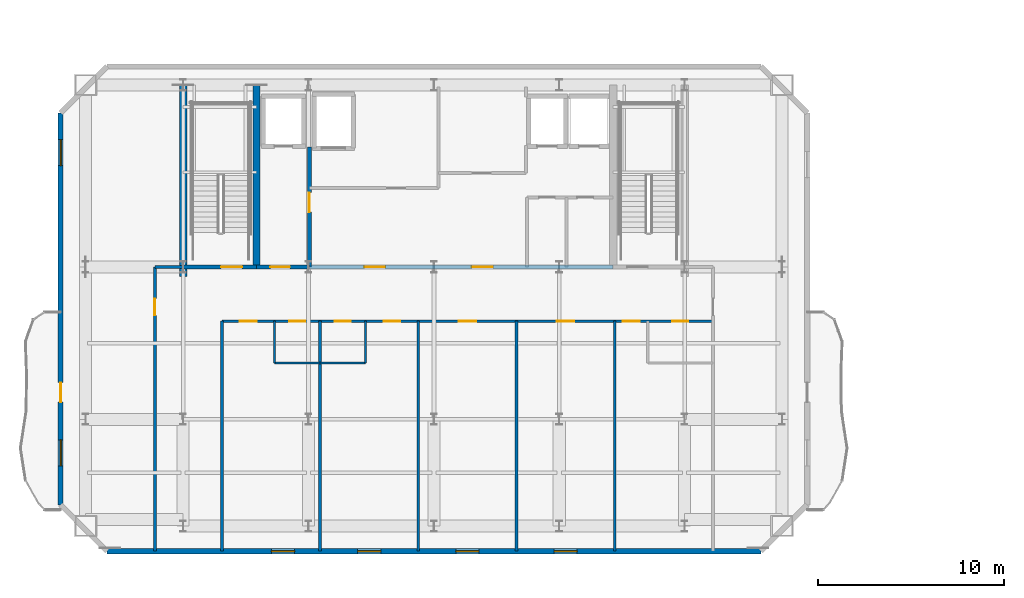
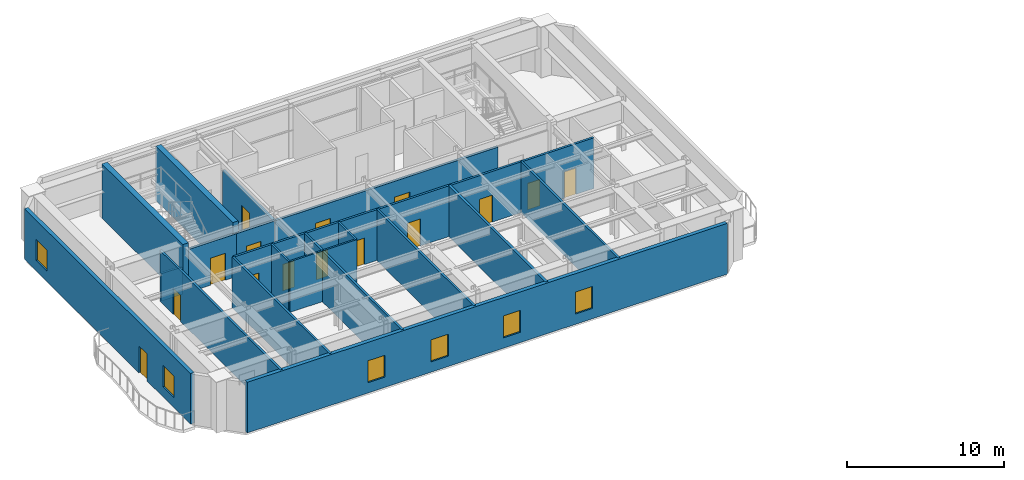
# One storey, part 10 of 16: 20 walls, 15 doors, 6 windows, 21 openings.
"""IFC4 building model written with IfcOpenShell, lengths in metres."""

import ifcopenshell
import ifcopenshell.guid

model = None  # the IFC model being written
_history = None  # IfcOwnerHistory: only IFC2X3 demands one
_inside = {}  # id of a spatial element -> (the spatial element, [elements in it])
_under = {}  # id of a project, library or spatial element -> (it, [spatial elements below it])
_declared = {}  # id of a project -> (the project, [libraries it declares])
_typed = {}  # id of a type object -> (the type object, [elements of that type])
_made_of = {}  # id of a material, layer set ... -> (it, [elements and type objects made of it])


def new_model(schema):
    """Start an empty IFC model of exactly this schema.

    Asked for "IFC4X3", IfcOpenShell would pick the latest addendum, in which some entities
    have other attributes; the version numbers below select the first issue.
    IFC2X3 requires an IfcOwnerHistory on every rooted entity: one is made here for all.
    """
    global model, _history
    if schema == "IFC4X3":
        model = ifcopenshell.file(schema_version=(4, 3, 0, 0))
    else:
        model = ifcopenshell.file(schema=schema)
    _inside.clear()
    _under.clear()
    _declared.clear()
    _typed.clear()
    _made_of.clear()
    _history = None
    if model.schema == "IFC2X3":
        org = make("IfcOrganization", Name="unknown")
        user = make(
            "IfcPersonAndOrganization",
            ThePerson=make("IfcPerson", FamilyName="unknown"),
            TheOrganization=org,
        )
        app = make(
            "IfcApplication",
            ApplicationDeveloper=org,
            Version="unknown",
            ApplicationFullName="unknown",
            ApplicationIdentifier="unknown",
        )
        _history = make(
            "IfcOwnerHistory",
            OwningUser=user,
            OwningApplication=app,
            ChangeAction="ADDED",
            CreationDate=0,
        )
    return model


def make(cls, **values):
    """One entity of the class cls with the attributes given. An attribute that is None is left unset."""
    return model.create_entity(
        cls, **{name: value for name, value in values.items() if value is not None}
    )


def rooted(cls, **values):
    """An entity with a GlobalId (a new one), such as an element, a storey or a relation."""
    return make(cls, GlobalId=ifcopenshell.guid.new(), OwnerHistory=_history, **values)


def si_unit(unit_type, name, prefix=None):
    """IfcSIUnit, for example si_unit("LENGTHUNIT", "METRE", prefix="MILLI")."""
    return make("IfcSIUnit", UnitType=unit_type, Prefix=prefix, Name=name)


def assignment(units):
    """IfcUnitAssignment: the units of a project."""
    return None if units is None else make("IfcUnitAssignment", Units=units)


def point(xyz):
    """IfcCartesianPoint."""
    return None if xyz is None else make("IfcCartesianPoint", Coordinates=xyz)


def direction(xyz):
    """IfcDirection."""
    return None if xyz is None else make("IfcDirection", DirectionRatios=xyz)


def frame(location, z_axis=None, x_axis=None):
    """IfcAxis2Placement3D, a coordinate frame: its origin and axes. An axis left out is left unset."""
    return make(
        "IfcAxis2Placement3D",
        Location=point(location),
        Axis=direction(z_axis),
        RefDirection=direction(x_axis),
    )


def frame_2d(location, x_axis=None):
    """IfcAxis2Placement2D, a coordinate frame in the plane: its origin and x axis."""
    return make(
        "IfcAxis2Placement2D", Location=point(location), RefDirection=direction(x_axis)
    )


def origin():
    """The frame at (0, 0, 0) with its axes left unset."""
    return frame((0.0, 0.0, 0.0))


def place(relative_to, where):
    """IfcLocalPlacement: puts the frame where relative to a parent placement (None: the world)."""
    return make(
        "IfcLocalPlacement", PlacementRelTo=relative_to, RelativePlacement=where
    )


def context(
    kind, dimensions, precision=None, world=None, true_north=None, identifier=None
):
    """IfcGeometricRepresentationContext, for example the 3D "Model" context."""
    return make(
        "IfcGeometricRepresentationContext",
        ContextIdentifier=identifier,
        ContextType=kind,
        CoordinateSpaceDimension=dimensions,
        Precision=precision,
        WorldCoordinateSystem=world,
        TrueNorth=true_north,
    )


def subcontext(parent, identifier, kind, view, scale=None):
    """IfcGeometricRepresentationSubContext, for example "Body" below "Model"."""
    return make(
        "IfcGeometricRepresentationSubContext",
        ContextIdentifier=identifier,
        ContextType=kind,
        ParentContext=parent,
        TargetScale=scale,
        TargetView=view,
    )


def project(units=None, contexts=None):
    """IfcProject with its units and contexts."""
    return rooted(
        "IfcProject",
        Name="project",
        RepresentationContexts=contexts,
        UnitsInContext=assignment(units),
    )


def spatial(cls, under=None, at=None, **own):
    """A site, building, storey or space (cls), placed at a placement, below another one or the project."""
    s = rooted(cls, ObjectPlacement=at, **own)
    if under is not None:
        _under.setdefault(under.id(), (under, []))[1].append(s)
    return s


def profile(cls, at=None, kind="AREA", **sizes):
    """A parametric profile (cls). Its sizes go by their IFC names, for example OverallWidth=200.0."""
    return make(cls, ProfileType=kind, Position=at, **sizes)


def rectangle(**sizes):
    """IfcRectangleProfileDef."""
    return profile("IfcRectangleProfileDef", **sizes)


def extrude(swept, where, along, depth):
    """IfcExtrudedAreaSolid: the profile swept, set in the frame where, extruded along a direction by depth."""
    return make(
        "IfcExtrudedAreaSolid",
        SweptArea=swept,
        Position=where,
        ExtrudedDirection=direction(along),
        Depth=depth,
    )


def shape(context_of_items, identifier, shape_type, items):
    """IfcShapeRepresentation: the items that make up one representation, for example the "Body"."""
    return make(
        "IfcShapeRepresentation",
        ContextOfItems=context_of_items,
        RepresentationIdentifier=identifier,
        RepresentationType=shape_type,
        Items=items,
    )


def material(Name=None, Category=None):
    """IfcMaterial."""
    return make("IfcMaterial", Name=Name, Category=Category)


def layer(
    of_material, thickness, ventilated=None, Name=None, Category=None, Priority=None
):
    """IfcMaterialLayer: one layer of a wall or slab, of a material (None: an air gap)."""
    return make(
        "IfcMaterialLayer",
        Material=of_material,
        LayerThickness=thickness,
        IsVentilated=ventilated,
        Name=Name,
        Category=Category,
        Priority=Priority,
    )


def layer_set(layers, Name=None):
    """IfcMaterialLayerSet."""
    return make("IfcMaterialLayerSet", MaterialLayers=layers, LayerSetName=Name)


def made_of(thing, what):
    """Note that an element or type object is made of a material, layer set ...; save() writes the relation."""
    if what is not None:
        _made_of.setdefault(what.id(), (what, []))[1].append(thing)
    return thing


def type_object(cls, material=None, **own):
    """A type object (cls), such as IfcWallType, which elements share."""
    return made_of(rooted(cls, **own), material)


def element(
    cls,
    number,
    at=None,
    inside=None,
    cuts=None,
    type_object=None,
    material=None,
    context=None,
    identifier="Body",
    shape_type=None,
    held_by="IfcProductDefinitionShape",
    body=None,
    shapes=None,
    **own,
):
    """One element of the class cls, such as IfcWall. Its Tag is "e" and its number.

    at: its placement. inside: the storey or other place that contains it. cuts: it is an
    opening in that element (IfcRelVoidsElement). A single representation is given by context,
    identifier, shape_type and body (its items); several are given by shapes. held_by: the class
    of the entity that holds the representations. save() writes the other relations.
    """
    e = rooted(cls, Tag="e%d" % number, ObjectPlacement=at, **own)
    if body is not None:
        shapes = [shape(context, identifier, shape_type, body)]
    if shapes is not None:
        e.Representation = make(held_by, Representations=shapes)
    if inside is not None:
        _inside.setdefault(inside.id(), (inside, []))[1].append(e)
    if cuts is not None:
        rooted(
            "IfcRelVoidsElement", RelatingBuildingElement=cuts, RelatedOpeningElement=e
        )
    if type_object is not None:
        _typed.setdefault(type_object.id(), (type_object, []))[1].append(e)
    return made_of(e, material)


def fill(opening, filler):
    """IfcRelFillsElement: the door or window that sits in an opening."""
    return rooted(
        "IfcRelFillsElement",
        RelatingOpeningElement=opening,
        RelatedBuildingElement=filler,
    )


def aggregate(whole, parts):
    """IfcRelAggregates: a whole, such as a stair, and the parts it consists of."""
    return rooted("IfcRelAggregates", RelatingObject=whole, RelatedObjects=parts)


def save(model, path):
    """Write the relations noted so far, then the file.

    IfcRelAggregates (storeys below a building ...), IfcRelContainedInSpatialStructure (elements
    in a storey), IfcRelDefinesByType, IfcRelAssociatesMaterial and IfcRelDeclares: one each for
    every whole, place, type object, material and project.
    """
    for whole, parts in _under.values():
        aggregate(whole, parts)
    for where, things in _inside.values():
        rooted(
            "IfcRelContainedInSpatialStructure",
            RelatedElements=things,
            RelatingStructure=where,
        )
    for kind, things in _typed.values():
        rooted("IfcRelDefinesByType", RelatedObjects=things, RelatingType=kind)
    for what, things in _made_of.values():
        rooted("IfcRelAssociatesMaterial", RelatedObjects=things, RelatingMaterial=what)
    for by, libraries in _declared.values():
        rooted("IfcRelDeclares", RelatingContext=by, RelatedDefinitions=libraries)
    model.write(path)


model = new_model("IFC4")

# Units and contexts
model_context = context("Model", 3, precision=1e-05, world=origin(), true_north=direction((0.0, 1.0)))
body_context = subcontext(model_context, "Body", "Model", "MODEL_VIEW")
ifc_project = project(units=[si_unit("LENGTHUNIT", "METRE"), si_unit("AREAUNIT", "SQUARE_METRE"), si_unit("VOLUMEUNIT", "CUBIC_METRE"), si_unit("PLANEANGLEUNIT", "RADIAN"), si_unit("MASSUNIT", "GRAM", prefix="KILO")], contexts=[model_context])

# Site, building, storey
site_placement = place(None, origin())
site = spatial("IfcSite", under=ifc_project, at=site_placement, CompositionType="ELEMENT")
building_placement = place(site_placement, origin())
building = spatial("IfcBuilding", under=site, at=building_placement, Name="Haevon Station Towers", CompositionType="ELEMENT")
storey_placement = place(building_placement, frame((0.0, 0.0, 235.199951171875)))
storey = spatial("IfcBuildingStorey", under=building, at=storey_placement, Name="L65", CompositionType="ELEMENT", Elevation=235.199951171875)

# Wall
ifc_material_1 = material(Name="Gypsum board on steel stud", Category="steel")
ifc_layer_1 = layer(ifc_material_1, 0.179931640625)
ifc_layer_set_1 = layer_set([ifc_layer_1], Name="Gypsum board on steel stud")
wall_type_1 = type_object("IfcWallType", Name="WL-ACU180", PredefinedType="PARTITIONING", material=ifc_layer_set_1)
wall_1_placement = place(storey_placement, frame((41.947021484375, 22.89990234375, 0.0), z_axis=(0.0, 0.0, 1.0), x_axis=(0.0, 1.0, 0.0)))
element("IfcWall", 1, at=wall_1_placement, inside=storey, type_object=wall_type_1, Name="WL-T1PT-L65-12", PredefinedType="PARTITIONING", context=body_context, shape_type="SweptSolid", body=[
    extrude(rectangle(XDim=12.380126953125, YDim=0.179931640625, at=frame_2d((6.18994140625, 0.0))), origin(), (0.0, 0.0, 1.0), 3.929931640625),
])

# Wall, opening, door
ifc_layer_2 = layer(ifc_material_1, 0.199951171875)
ifc_layer_set_2 = layer_set([ifc_layer_2], Name="Gypsum board on steel stud")
wall_type_2 = type_object("IfcWallType", Name="WL-COR200", PredefinedType="PARTITIONING", material=ifc_layer_set_2)
wall_2_placement = place(storey_placement, frame((24.0, 38.199951171875, 0.0), z_axis=(0.0, 0.0, 1.0), x_axis=(1.0, 0.0, 0.0)))
wall_2 = element("IfcWall", 2, at=wall_2_placement, inside=storey, type_object=wall_type_2, Name="WL-ST-ST1-L65", PredefinedType="PARTITIONING", context=body_context, shape_type="SweptSolid", body=[
    extrude(rectangle(XDim=3.949951171875, YDim=0.199951171875, at=frame_2d((1.97509765625, 0.0))), origin(), (0.0, 0.0, 1.0), 3.330078125),
])
opening_1_placement = place(wall_2_placement, frame((2.050048828125, 0.0, 0.0)))
opening_1 = element("IfcOpeningElement", 3, at=opening_1_placement, cuts=wall_2, Name="Opening DR-ST-ST1-L65", PredefinedType="OPENING", context=body_context, shape_type="SweptSolid", body=[
    extrude(rectangle(XDim=1.1201171875, YDim=2.10009765625, at=frame_2d((0.56005859375, 1.050048828125))), frame((0.0, 0.10986328125, 0.0), z_axis=(0.0, -1.0, 0.0), x_axis=(1.0, 0.0, 0.0)), (0.0, 0.0, 1.0), 0.219970703125),
])
ifc_material_2 = material(Name="Engineered oak timber", Category="wood")
door_type_1 = type_object("IfcDoorType", Name="DR-ST-1120", OperationType="NOTDEFINED", PredefinedType="DOOR", material=ifc_material_2)
door_1_placement = place(opening_1_placement, origin())
door_1 = element("IfcDoor", 4, at=door_1_placement, inside=storey, type_object=door_type_1, Name="L65 Escape Stair ST1 Fire Door", OperationType="SINGLE_SWING_LEFT", OverallHeight=2.10009765625, OverallWidth=1.1201171875, PredefinedType="DOOR", context=body_context, shape_type="SweptSolid", body=[
    extrude(rectangle(XDim=1.1201171875, YDim=2.10009765625, at=frame_2d((0.56005859375, 1.050048828125))), frame((0.0, 0.02490234375, 0.0), z_axis=(0.0, -1.0, 0.0), x_axis=(1.0, 0.0, 0.0)), (0.0, 0.0, 1.0), 0.050048828125),
])
fill(opening_1, door_1)

wall_3_placement = place(storey_placement, frame((30.800048828125, 38.199951171875, 0.0), z_axis=(0.0, 0.0, 1.0), x_axis=(0.0, 1.0, 0.0)))
wall_3 = element("IfcWall", 5, at=wall_3_placement, inside=storey, type_object=wall_type_2, Name="WL-T1FFL-L65-E", PredefinedType="PARTITIONING", context=body_context, shape_type="SweptSolid", body=[
    extrude(rectangle(XDim=6.449951171875, YDim=0.199951171875, at=frame_2d((3.22509765625, 0.0))), origin(), (0.0, 0.0, 1.0), 3.330078125),
])
opening_2_placement = place(wall_3_placement, frame((2.9599609375, 0.0, 0.0)))
opening_2 = element("IfcOpeningElement", 6, at=opening_2_placement, cuts=wall_3, Name="Opening DR-T1FFL-L65-E", PredefinedType="OPENING", context=body_context, shape_type="SweptSolid", body=[
    extrude(rectangle(XDim=1.050048828125, YDim=2.10009765625, at=frame_2d((0.52490234375, 1.050048828125))), frame((0.0, 0.10986328125, 0.0), z_axis=(0.0, -1.0, 0.0), x_axis=(1.0, 0.0, 0.0)), (0.0, 0.0, 1.0), 0.219970703125),
])
door_type_2 = type_object("IfcDoorType", Name="DR-FD60-1050", OperationType="NOTDEFINED", PredefinedType="DOOR", material=ifc_material_2)
door_2_placement = place(opening_2_placement, origin())
door_2 = element("IfcDoor", 7, at=door_2_placement, inside=storey, type_object=door_type_2, Name="L65 Tower 1 Firefighting Lift Lobby Door E", OperationType="SINGLE_SWING_LEFT", OverallHeight=2.10009765625, OverallWidth=1.050048828125, PredefinedType="DOOR", context=body_context, shape_type="SweptSolid", body=[
    extrude(rectangle(XDim=1.050048828125, YDim=2.10009765625, at=frame_2d((0.52490234375, 1.050048828125))), frame((0.0, 0.02490234375, 0.0), z_axis=(0.0, -1.0, 0.0), x_axis=(1.0, 0.0, 0.0)), (0.0, 0.0, 1.0), 0.050048828125),
])
fill(opening_2, door_2)

wall_4_placement = place(storey_placement, frame((27.949951171875, 38.199951171875, 0.0), z_axis=(0.0, 0.0, 1.0), x_axis=(1.0, 0.0, 0.0)))
wall_4 = element("IfcWall", 8, at=wall_4_placement, inside=storey, type_object=wall_type_2, Name="WL-T1FFL-L65-S", PredefinedType="PARTITIONING", context=body_context, shape_type="SweptSolid", body=[
    extrude(rectangle(XDim=2.85009765625, YDim=0.199951171875, at=frame_2d((1.425048828125, 0.0))), origin(), (0.0, 0.0, 1.0), 3.330078125),
])
opening_3_placement = place(wall_4_placement, frame((0.75, 0.0, 0.0)))
opening_3 = element("IfcOpeningElement", 9, at=opening_3_placement, cuts=wall_4, Name="Opening DR-T1FFL-L65-S", PredefinedType="OPENING", context=body_context, shape_type="SweptSolid", body=[
    extrude(rectangle(XDim=1.050048828125, YDim=2.10009765625, at=frame_2d((0.52490234375, 1.050048828125))), frame((0.0, 0.10986328125, 0.0), z_axis=(0.0, -1.0, 0.0), x_axis=(1.0, 0.0, 0.0)), (0.0, 0.0, 1.0), 0.219970703125),
])
door_3_placement = place(opening_3_placement, origin())
door_3 = element("IfcDoor", 10, at=door_3_placement, inside=storey, type_object=door_type_2, Name="L65 Tower 1 Firefighting Lift Lobby Door S", OperationType="SINGLE_SWING_RIGHT", OverallHeight=2.10009765625, OverallWidth=1.050048828125, PredefinedType="DOOR", context=body_context, shape_type="SweptSolid", body=[
    extrude(rectangle(XDim=1.050048828125, YDim=2.10009765625, at=frame_2d((0.52490234375, 1.050048828125))), frame((0.0, 0.02490234375, 0.0), z_axis=(0.0, -1.0, 0.0), x_axis=(1.0, 0.0, 0.0)), (0.0, 0.0, 1.0), 0.050048828125),
])
fill(opening_3, door_3)

# Wall, openings, doors
wall_5_placement = place(storey_placement, frame((30.800048828125, 38.199951171875, 0.0), z_axis=(0.0, 0.0, 1.0), x_axis=(1.0, 0.0, 0.0)))
wall_5 = element("IfcWall", 11, at=wall_5_placement, inside=storey, type_object=wall_type_2, Name="WL-T1CLB-L65", PredefinedType="PARTITIONING", context=body_context, shape_type="SweptSolid", body=[
    extrude(rectangle(XDim=16.349853515625, YDim=0.199951171875, at=frame_2d((8.1748046875, 0.0))), origin(), (0.0, 0.0, 1.0), 3.330078125),
])
opening_4_placement = place(wall_5_placement, frame((2.949951171875, 0.0, 0.0)))
opening_4 = element("IfcOpeningElement", 12, at=opening_4_placement, cuts=wall_5, Name="Opening DR-T1CLB-L65-1", PredefinedType="OPENING", context=body_context, shape_type="SweptSolid", body=[
    extrude(rectangle(XDim=1.1201171875, YDim=2.10009765625, at=frame_2d((0.56005859375, 1.050048828125))), frame((0.0, 0.10986328125, 0.0), z_axis=(0.0, -1.0, 0.0), x_axis=(1.0, 0.0, 0.0)), (0.0, 0.0, 1.0), 0.219970703125),
])
opening_5_placement = place(wall_5_placement, frame((8.75, 0.0, 0.0)))
opening_5 = element("IfcOpeningElement", 13, at=opening_5_placement, cuts=wall_5, Name="Opening DR-T1CLB-L65-2", PredefinedType="OPENING", context=body_context, shape_type="SweptSolid", body=[
    extrude(rectangle(XDim=1.1201171875, YDim=2.10009765625, at=frame_2d((0.56005859375, 1.050048828125))), frame((0.0, 0.10986328125, 0.0), z_axis=(0.0, -1.0, 0.0), x_axis=(1.0, 0.0, 0.0)), (0.0, 0.0, 1.0), 0.219970703125),
])
door_4_placement = place(opening_4_placement, origin())
door_4 = element("IfcDoor", 14, at=door_4_placement, inside=storey, type_object=door_type_1, Name="L65 Tower 1 Core Lift Lobby Door 1", OperationType="SINGLE_SWING_LEFT", OverallHeight=2.10009765625, OverallWidth=1.1201171875, PredefinedType="DOOR", context=body_context, shape_type="SweptSolid", body=[
    extrude(rectangle(XDim=1.1201171875, YDim=2.10009765625, at=frame_2d((0.56005859375, 1.050048828125))), frame((0.0, 0.02490234375, 0.0), z_axis=(0.0, -1.0, 0.0), x_axis=(1.0, 0.0, 0.0)), (0.0, 0.0, 1.0), 0.050048828125),
])
fill(opening_4, door_4)
door_5_placement = place(opening_5_placement, origin())
door_5 = element("IfcDoor", 15, at=door_5_placement, inside=storey, type_object=door_type_1, Name="L65 Tower 1 Core Lift Lobby Door 2", OperationType="SINGLE_SWING_RIGHT", OverallHeight=2.10009765625, OverallWidth=1.1201171875, PredefinedType="DOOR", context=body_context, shape_type="SweptSolid", body=[
    extrude(rectangle(XDim=1.1201171875, YDim=2.10009765625, at=frame_2d((0.56005859375, 1.050048828125))), frame((0.0, 0.02490234375, 0.0), z_axis=(0.0, -1.0, 0.0), x_axis=(1.0, 0.0, 0.0)), (0.0, 0.0, 1.0), 0.050048828125),
])
fill(opening_5, door_5)

# Walls
ifc_material_3 = material(Name="Concrete C60/75", Category="concrete")
ifc_layer_3 = layer(ifc_material_3, 0.39990234375)
ifc_layer_set_3 = layer_set([ifc_layer_3], Name="Concrete C60/75")
wall_type_3 = type_object("IfcWallType", Name="WL-CR400", PredefinedType="SHEAR", material=ifc_layer_set_3)
wall_6_placement = place(storey_placement, frame((24.0, 37.679931640625, 0.0), z_axis=(0.0, 0.0, 1.0), x_axis=(0.0, 1.0, 0.0)))
element("IfcWall", 16, at=wall_6_placement, inside=storey, type_object=wall_type_3, Name="WL-T1CR-L65-W", PredefinedType="SHEAR", context=body_context, shape_type="SweptSolid", body=[
    extrude(rectangle(XDim=10.320068359375, YDim=0.39990234375, at=frame_2d((5.16015625, 0.0))), origin(), (0.0, 0.0, 1.0), 4.199951171875),
])
wall_7_placement = place(storey_placement, frame((27.949951171875, 38.199951171875, 0.0), z_axis=(0.0, 0.0, 1.0), x_axis=(0.0, 1.0, 0.0)))
element("IfcWall", 17, at=wall_7_placement, inside=storey, type_object=wall_type_3, Name="WL-T1CR-L65-M1", PredefinedType="SHEAR", context=body_context, shape_type="SweptSolid", body=[
    extrude(rectangle(XDim=9.800048828125, YDim=0.39990234375, at=frame_2d((4.89990234375, 0.0))), origin(), (0.0, 0.0, 1.0), 4.199951171875),
])

# Wall, openings, windows
ifc_material_4 = material(Name="Precast concrete C45/55", Category="concrete")
ifc_layer_4 = layer(ifc_material_4, 0.280029296875)
ifc_layer_set_4 = layer_set([ifc_layer_4], Name="Precast concrete C45/55")
wall_type_4 = type_object("IfcWallType", Name="WL-EXT-PIER280", PredefinedType="SOLIDWALL", material=ifc_layer_set_4)
wall_8_placement = place(storey_placement, frame((55.10009765625, 22.89990234375, 0.0), z_axis=(0.0, 0.0, 1.0), x_axis=(-1.0, 0.0, 0.0)))
wall_8 = element("IfcWall", 18, at=wall_8_placement, inside=storey, type_object=wall_type_4, Name="WL-T1-L65-S", PredefinedType="SOLIDWALL", context=body_context, shape_type="SweptSolid", body=[
    extrude(rectangle(XDim=35.2001953125, YDim=0.280029296875, at=frame_2d((17.60009765625, 0.0))), origin(), (0.0, 0.0, 1.0), 3.929931640625),
])
opening_6_placement = place(wall_8_placement, frame((25.0947265625, 0.0, 0.800048828125)))
opening_6 = element("IfcOpeningElement", 19, at=opening_6_placement, cuts=wall_8, Name="Opening WN-P125", PredefinedType="OPENING", context=body_context, shape_type="SweptSolid", body=[
    extrude(rectangle(XDim=1.25, YDim=1.699951171875, at=frame_2d((0.625, 0.85009765625))), frame((0.0, 0.14990234375, 0.0), z_axis=(0.0, -1.0, 0.0), x_axis=(1.0, 0.0, 0.0)), (0.0, 0.0, 1.0), 0.300048828125),
])
opening_7_placement = place(wall_8_placement, frame((20.46142578125, 0.0, 0.800048828125)))
opening_7 = element("IfcOpeningElement", 20, at=opening_7_placement, cuts=wall_8, Name="Opening WN-P125", PredefinedType="OPENING", context=body_context, shape_type="SweptSolid", body=[
    extrude(rectangle(XDim=1.25, YDim=1.699951171875, at=frame_2d((0.625, 0.85009765625))), frame((0.0, 0.14990234375, 0.0), z_axis=(0.0, -1.0, 0.0), x_axis=(1.0, 0.0, 0.0)), (0.0, 0.0, 1.0), 0.300048828125),
])
opening_8_placement = place(wall_8_placement, frame((15.172607421875, 0.0, 0.800048828125)))
opening_8 = element("IfcOpeningElement", 21, at=opening_8_placement, cuts=wall_8, Name="Opening WN-P125", PredefinedType="OPENING", context=body_context, shape_type="SweptSolid", body=[
    extrude(rectangle(XDim=1.25, YDim=1.699951171875, at=frame_2d((0.625, 0.85009765625))), frame((0.0, 0.14990234375, 0.0), z_axis=(0.0, -1.0, 0.0), x_axis=(1.0, 0.0, 0.0)), (0.0, 0.0, 1.0), 0.300048828125),
])
opening_9_placement = place(wall_8_placement, frame((9.883544921875, 0.0, 0.800048828125)))
opening_9 = element("IfcOpeningElement", 22, at=opening_9_placement, cuts=wall_8, Name="Opening WN-P125", PredefinedType="OPENING", context=body_context, shape_type="SweptSolid", body=[
    extrude(rectangle(XDim=1.25, YDim=1.699951171875, at=frame_2d((0.625, 0.85009765625))), frame((0.0, 0.14990234375, 0.0), z_axis=(0.0, -1.0, 0.0), x_axis=(1.0, 0.0, 0.0)), (0.0, 0.0, 1.0), 0.300048828125),
])
ifc_material_5 = material(Name="Low-E triple glazing in thermally broken aluminium", Category="aluminium")
window_type_1 = type_object("IfcWindowType", Name="WN-P125", PartitioningType="SINGLE_PANEL", PredefinedType="WINDOW", material=ifc_material_5)
window_1_placement = place(opening_6_placement, origin())
window_1 = element("IfcWindow", 23, at=window_1_placement, inside=storey, type_object=window_type_1, Name="WN-T1-L65-S01", OverallHeight=1.699951171875, OverallWidth=1.25, PartitioningType="SINGLE_PANEL", PredefinedType="WINDOW", context=body_context, shape_type="SweptSolid", body=[
    extrude(rectangle(XDim=1.25, YDim=1.699951171875, at=frame_2d((0.625, 0.85009765625))), frame((0.0, 0.030029296875, 0.0), z_axis=(0.0, -1.0, 0.0), x_axis=(1.0, 0.0, 0.0)), (0.0, 0.0, 1.0), 0.06005859375),
])
fill(opening_6, window_1)
window_2_placement = place(opening_7_placement, origin())
window_2 = element("IfcWindow", 24, at=window_2_placement, inside=storey, type_object=window_type_1, Name="WN-T1-L65-S02", OverallHeight=1.699951171875, OverallWidth=1.25, PartitioningType="SINGLE_PANEL", PredefinedType="WINDOW", context=body_context, shape_type="SweptSolid", body=[
    extrude(rectangle(XDim=1.25, YDim=1.699951171875, at=frame_2d((0.625, 0.85009765625))), frame((0.0, 0.030029296875, 0.0), z_axis=(0.0, -1.0, 0.0), x_axis=(1.0, 0.0, 0.0)), (0.0, 0.0, 1.0), 0.06005859375),
])
fill(opening_7, window_2)
window_3_placement = place(opening_8_placement, origin())
window_3 = element("IfcWindow", 25, at=window_3_placement, inside=storey, type_object=window_type_1, Name="WN-T1-L65-S03", OverallHeight=1.699951171875, OverallWidth=1.25, PartitioningType="SINGLE_PANEL", PredefinedType="WINDOW", context=body_context, shape_type="SweptSolid", body=[
    extrude(rectangle(XDim=1.25, YDim=1.699951171875, at=frame_2d((0.625, 0.85009765625))), frame((0.0, 0.030029296875, 0.0), z_axis=(0.0, -1.0, 0.0), x_axis=(1.0, 0.0, 0.0)), (0.0, 0.0, 1.0), 0.06005859375),
])
fill(opening_8, window_3)
window_4_placement = place(opening_9_placement, origin())
window_4 = element("IfcWindow", 26, at=window_4_placement, inside=storey, type_object=window_type_1, Name="WN-T1-L65-S04", OverallHeight=1.699951171875, OverallWidth=1.25, PartitioningType="SINGLE_PANEL", PredefinedType="WINDOW", context=body_context, shape_type="SweptSolid", body=[
    extrude(rectangle(XDim=1.25, YDim=1.699951171875, at=frame_2d((0.625, 0.85009765625))), frame((0.0, 0.030029296875, 0.0), z_axis=(0.0, -1.0, 0.0), x_axis=(1.0, 0.0, 0.0)), (0.0, 0.0, 1.0), 0.06005859375),
])
fill(opening_9, window_4)

# Wall, openings, door, windows
wall_9_placement = place(storey_placement, frame((17.39990234375, 25.39990234375, 0.0), z_axis=(0.0, 0.0, 1.0), x_axis=(0.0, 1.0, 0.0)))
wall_9 = element("IfcWall", 27, at=wall_9_placement, inside=storey, type_object=wall_type_4, Name="WL-T1-L65-W", PredefinedType="SOLIDWALL", context=body_context, shape_type="SweptSolid", body=[
    extrude(rectangle(XDim=21.10009765625, YDim=0.280029296875, at=frame_2d((10.550048828125, 0.0))), origin(), (0.0, 0.0, 1.0), 3.929931640625),
])
opening_10_placement = place(wall_9_placement, frame((5.52490234375, 0.0, 0.0)))
opening_10 = element("IfcOpeningElement", 28, at=opening_10_placement, cuts=wall_9, Name="Opening DR-T1-SCAL-L65-W", PredefinedType="OPENING", context=body_context, shape_type="SweptSolid", body=[
    extrude(rectangle(XDim=1.050048828125, YDim=2.10009765625, at=frame_2d((0.52490234375, 1.050048828125))), frame((0.0, 0.14990234375, 0.0), z_axis=(0.0, -1.0, 0.0), x_axis=(1.0, 0.0, 0.0)), (0.0, 0.0, 1.0), 0.300048828125),
])
opening_11_placement = place(wall_9_placement, frame((2.093017578125, 0.0, 0.800048828125)))
opening_11 = element("IfcOpeningElement", 29, at=opening_11_placement, cuts=wall_9, Name="Opening WN-END140", PredefinedType="OPENING", context=body_context, shape_type="SweptSolid", body=[
    extrude(rectangle(XDim=1.39990234375, YDim=1.64990234375, at=frame_2d((0.699951171875, 0.824951171875))), frame((0.0, 0.14990234375, 0.0), z_axis=(0.0, -1.0, 0.0), x_axis=(1.0, 0.0, 0.0)), (0.0, 0.0, 1.0), 0.300048828125),
])
opening_12_placement = place(wall_9_placement, frame((18.253662109375, 0.0, 0.800048828125)))
opening_12 = element("IfcOpeningElement", 30, at=opening_12_placement, cuts=wall_9, Name="Opening WN-END140", PredefinedType="OPENING", context=body_context, shape_type="SweptSolid", body=[
    extrude(rectangle(XDim=1.39990234375, YDim=1.64990234375, at=frame_2d((0.699951171875, 0.824951171875))), frame((0.0, 0.14990234375, 0.0), z_axis=(0.0, -1.0, 0.0), x_axis=(1.0, 0.0, 0.0)), (0.0, 0.0, 1.0), 0.300048828125),
])
ifc_material_6 = material(Name="Thermally broken anodised aluminium and laminated safety glass", Category="aluminium")
door_type_3 = type_object("IfcDoorType", Name="DR-BALC-1050", OperationType="NOTDEFINED", PredefinedType="DOOR", material=ifc_material_6)
door_6_placement = place(opening_10_placement, origin())
door_6 = element("IfcDoor", 31, at=door_6_placement, inside=storey, type_object=door_type_3, Name="Tower 1 L65 West Scalloped Balcony Door", OperationType="SINGLE_SWING_RIGHT", OverallHeight=2.10009765625, OverallWidth=1.050048828125, PredefinedType="DOOR", context=body_context, shape_type="SweptSolid", body=[
    extrude(rectangle(XDim=1.050048828125, YDim=2.10009765625, at=frame_2d((0.52490234375, 1.050048828125))), frame((0.0, 0.02490234375, 0.0), z_axis=(0.0, -1.0, 0.0), x_axis=(1.0, 0.0, 0.0)), (0.0, 0.0, 1.0), 0.050048828125),
])
fill(opening_10, door_6)
window_type_2 = type_object("IfcWindowType", Name="WN-END140", PartitioningType="SINGLE_PANEL", PredefinedType="WINDOW", material=ifc_material_5)
window_5_placement = place(opening_11_placement, origin())
window_5 = element("IfcWindow", 32, at=window_5_placement, inside=storey, type_object=window_type_2, Name="WN-T1-L65-W01", OverallHeight=1.64990234375, OverallWidth=1.39990234375, PartitioningType="SINGLE_PANEL", PredefinedType="WINDOW", context=body_context, shape_type="SweptSolid", body=[
    extrude(rectangle(XDim=1.39990234375, YDim=1.64990234375, at=frame_2d((0.699951171875, 0.824951171875))), frame((0.0, 0.030029296875, 0.0), z_axis=(0.0, -1.0, 0.0), x_axis=(1.0, 0.0, 0.0)), (0.0, 0.0, 1.0), 0.06005859375),
])
fill(opening_11, window_5)
window_6_placement = place(opening_12_placement, origin())
window_6 = element("IfcWindow", 33, at=window_6_placement, inside=storey, type_object=window_type_2, Name="WN-T1-L65-W02", OverallHeight=1.64990234375, OverallWidth=1.39990234375, PartitioningType="SINGLE_PANEL", PredefinedType="WINDOW", context=body_context, shape_type="SweptSolid", body=[
    extrude(rectangle(XDim=1.39990234375, YDim=1.64990234375, at=frame_2d((0.699951171875, 0.824951171875))), frame((0.0, 0.030029296875, 0.0), z_axis=(0.0, -1.0, 0.0), x_axis=(1.0, 0.0, 0.0)), (0.0, 0.0, 1.0), 0.06005859375),
])
fill(opening_12, window_6)

# Walls
ifc_layer_5 = layer(ifc_material_1, 0.125)
ifc_layer_set_5 = layer_set([ifc_layer_5], Name="Gypsum board on steel stud")
wall_type_5 = type_object("IfcWallType", Name="WL-PRT125", PredefinedType="PARTITIONING", material=ifc_layer_set_5)
wall_10_placement = place(storey_placement, frame((28.9189453125, 33.030029296875, 0.0), z_axis=(0.0, 0.0, 1.0), x_axis=(1.0, 0.0, 0.0)))
element("IfcWall", 34, at=wall_10_placement, inside=storey, type_object=wall_type_5, Name="WL-T1PT-L65-06", PredefinedType="PARTITIONING", context=body_context, shape_type="SweptSolid", body=[
    extrude(rectangle(XDim=2.449951171875, YDim=0.125, at=frame_2d((1.22509765625, 0.0))), origin(), (0.0, 0.0, 1.0), 3.929931640625),
])
wall_11_placement = place(storey_placement, frame((28.9189453125, 33.030029296875, 0.0), z_axis=(0.0, 0.0, 1.0), x_axis=(0.0, 1.0, 0.0)))
element("IfcWall", 35, at=wall_11_placement, inside=storey, type_object=wall_type_5, Name="WL-T1PT-L65-07", PredefinedType="PARTITIONING", context=body_context, shape_type="SweptSolid", body=[
    extrude(rectangle(XDim=2.25, YDim=0.125, at=frame_2d((1.125, 0.0))), origin(), (0.0, 0.0, 1.0), 3.929931640625),
])
wall_12_placement = place(storey_placement, frame((31.368896484375, 33.030029296875, 0.0), z_axis=(0.0, 0.0, 1.0), x_axis=(1.0, 0.0, 0.0)))
element("IfcWall", 36, at=wall_12_placement, inside=storey, type_object=wall_type_5, Name="WL-T1PT-L65-09", PredefinedType="PARTITIONING", context=body_context, shape_type="SweptSolid", body=[
    extrude(rectangle(XDim=2.4501953125, YDim=0.125, at=frame_2d((1.22509765625, 0.0))), origin(), (0.0, 0.0, 1.0), 3.929931640625),
])
wall_13_placement = place(storey_placement, frame((33.819091796875, 33.030029296875, 0.0), z_axis=(0.0, 0.0, 1.0), x_axis=(0.0, 1.0, 0.0)))
element("IfcWall", 37, at=wall_13_placement, inside=storey, type_object=wall_type_5, Name="WL-T1PT-L65-10", PredefinedType="PARTITIONING", context=body_context, shape_type="SweptSolid", body=[
    extrude(rectangle(XDim=2.25, YDim=0.125, at=frame_2d((1.125, 0.0))), origin(), (0.0, 0.0, 1.0), 3.929931640625),
])
ifc_layer_6 = layer(ifc_material_1, 0.159912109375)
ifc_layer_set_6 = layer_set([ifc_layer_6], Name="Gypsum board on steel stud")
wall_type_6 = type_object("IfcWallType", Name="WL-PRT160", PredefinedType="PARTITIONING", material=ifc_layer_set_6)
wall_14_placement = place(storey_placement, frame((26.080078125, 22.89990234375, 0.0), z_axis=(0.0, 0.0, 1.0), x_axis=(0.0, 1.0, 0.0)))
element("IfcWall", 38, at=wall_14_placement, inside=storey, type_object=wall_type_6, Name="WL-T1PT-L65-01", PredefinedType="PARTITIONING", context=body_context, shape_type="SweptSolid", body=[
    extrude(rectangle(XDim=12.380126953125, YDim=0.159912109375, at=frame_2d((6.18994140625, 0.0))), origin(), (0.0, 0.0, 1.0), 3.929931640625),
])
wall_15_placement = place(storey_placement, frame((22.47509765625, 38.199951171875, 0.0), z_axis=(0.0, 0.0, 1.0), x_axis=(1.0, 0.0, 0.0)))
element("IfcWall", 39, at=wall_15_placement, inside=storey, type_object=wall_type_6, Name="WL-T1PT-L65-02", PredefinedType="PARTITIONING", context=body_context, shape_type="SweptSolid", body=[
    extrude(rectangle(XDim=1.52490234375, YDim=0.159912109375, at=frame_2d((0.762451171875, 0.0))), origin(), (0.0, 0.0, 1.0), 2.130126953125),
])

# Wall, opening, door
wall_16_placement = place(storey_placement, frame((22.47509765625, 22.89990234375, 0.0), z_axis=(0.0, 0.0, 1.0), x_axis=(0.0, 1.0, 0.0)))
wall_16 = element("IfcWall", 40, at=wall_16_placement, inside=storey, type_object=wall_type_6, Name="WL-T1PT-L65-04", PredefinedType="PARTITIONING", context=body_context, shape_type="SweptSolid", body=[
    extrude(rectangle(XDim=15.300048828125, YDim=0.159912109375, at=frame_2d((7.64990234375, 0.0))), origin(), (0.0, 0.0, 1.0), 3.929931640625),
])
opening_13_placement = place(wall_16_placement, frame((12.699951171875, 0.0, 0.0)))
opening_13 = element("IfcOpeningElement", 41, at=opening_13_placement, cuts=wall_16, Name="Opening DR-WL-T1PT-L65-04-01", PredefinedType="OPENING", context=body_context, shape_type="SweptSolid", body=[
    extrude(rectangle(XDim=0.89990234375, YDim=2.050048828125, at=frame_2d((0.449951171875, 1.02490234375))), frame((0.0, 0.08984375, 0.0), z_axis=(0.0, -1.0, 0.0), x_axis=(1.0, 0.0, 0.0)), (0.0, 0.0, 1.0), 0.179931640625),
])
door_type_4 = type_object("IfcDoorType", Name="DR-INT-900", OperationType="NOTDEFINED", PredefinedType="DOOR", material=ifc_material_2)
door_7_placement = place(opening_13_placement, origin())
door_7 = element("IfcDoor", 42, at=door_7_placement, inside=storey, type_object=door_type_4, Name="L65 Tower 1 Room Door 4-1", OperationType="SINGLE_SWING_LEFT", OverallHeight=2.050048828125, OverallWidth=0.89990234375, PredefinedType="DOOR", context=body_context, shape_type="SweptSolid", body=[
    extrude(rectangle(XDim=0.89990234375, YDim=2.050048828125, at=frame_2d((0.449951171875, 1.02490234375))), frame((0.0, 0.02490234375, 0.0), z_axis=(0.0, -1.0, 0.0), x_axis=(1.0, 0.0, 0.0)), (0.0, 0.0, 1.0), 0.050048828125),
])
fill(opening_13, door_7)

# Walls
for number, where, z_axis, x_axis, name in (
    (43, (31.368896484375, 22.89990234375, 0.0), (0.0, 0.0, 1.0), (0.0, 1.0, 0.0), "WL-T1PT-L65-08"),
    (44, (36.657958984375, 22.89990234375, 0.0), (0.0, 0.0, 1.0), (0.0, 1.0, 0.0), "WL-T1PT-L65-11"),
    (45, (47.236083984375, 22.89990234375, 0.0), (0.0, 0.0, 1.0), (0.0, 1.0, 0.0), "WL-T1PT-L65-13"),
):
    element("IfcWall", number, at=place(storey_placement, frame(where, z_axis=z_axis, x_axis=x_axis)), inside=storey, type_object=wall_type_6, Name=name, PredefinedType="PARTITIONING", context=body_context, shape_type="SweptSolid", body=[
        extrude(rectangle(XDim=12.380126953125, YDim=0.159912109375, at=frame_2d((6.18994140625, 0.0))), origin(), (0.0, 0.0, 1.0), 3.929931640625),
    ])

# Wall, openings, doors
wall_17_placement = place(storey_placement, frame((26.080078125, 35.280029296875, 0.0), z_axis=(0.0, 0.0, 1.0), x_axis=(1.0, 0.0, 0.0)))
wall_17 = element("IfcWall", 46, at=wall_17_placement, inside=storey, type_object=wall_type_6, Name="WL-T1PT-L65-16", PredefinedType="PARTITIONING", context=body_context, shape_type="SweptSolid", body=[
    extrude(rectangle(XDim=26.44482421875, YDim=0.159912109375, at=frame_2d((13.222412109375, 0.0))), origin(), (0.0, 0.0, 1.0), 3.929931640625),
])
opening_14_placement = place(wall_17_placement, frame((3.638916015625, 0.0, 0.0)))
opening_14 = element("IfcOpeningElement", 47, at=opening_14_placement, cuts=wall_17, Name="Opening DR-WL-T1PT-L65-16-01", PredefinedType="OPENING", context=body_context, shape_type="SweptSolid", body=[
    extrude(rectangle(XDim=0.85009765625, YDim=2.050048828125, at=frame_2d((0.425048828125, 1.02490234375))), frame((0.0, 0.08984375, 0.0), z_axis=(0.0, -1.0, 0.0), x_axis=(1.0, 0.0, 0.0)), (0.0, 0.0, 1.0), 0.179931640625),
])
opening_15_placement = place(wall_17_placement, frame((0.968994140625, 0.0, 0.0)))
opening_15 = element("IfcOpeningElement", 48, at=opening_15_placement, cuts=wall_17, Name="Opening DR-WL-T1PT-L65-16-02", PredefinedType="OPENING", context=body_context, shape_type="SweptSolid", body=[
    extrude(rectangle(XDim=0.89990234375, YDim=2.050048828125, at=frame_2d((0.449951171875, 1.02490234375))), frame((0.0, 0.08984375, 0.0), z_axis=(0.0, -1.0, 0.0), x_axis=(1.0, 0.0, 0.0)), (0.0, 0.0, 1.0), 0.179931640625),
])
opening_16_placement = place(wall_17_placement, frame((6.089111328125, 0.0, 0.0)))
opening_16 = element("IfcOpeningElement", 49, at=opening_16_placement, cuts=wall_17, Name="Opening DR-WL-T1PT-L65-16-03", PredefinedType="OPENING", context=body_context, shape_type="SweptSolid", body=[
    extrude(rectangle(XDim=0.85009765625, YDim=2.050048828125, at=frame_2d((0.425048828125, 1.02490234375))), frame((0.0, 0.08984375, 0.0), z_axis=(0.0, -1.0, 0.0), x_axis=(1.0, 0.0, 0.0)), (0.0, 0.0, 1.0), 0.179931640625),
])
opening_17_placement = place(wall_17_placement, frame((8.708984375, 0.0, 0.0)))
opening_17 = element("IfcOpeningElement", 50, at=opening_17_placement, cuts=wall_17, Name="Opening DR-WL-T1PT-L65-16-04", PredefinedType="OPENING", context=body_context, shape_type="SweptSolid", body=[
    extrude(rectangle(XDim=0.89990234375, YDim=2.050048828125, at=frame_2d((0.449951171875, 1.02490234375))), frame((0.0, 0.08984375, 0.0), z_axis=(0.0, -1.0, 0.0), x_axis=(1.0, 0.0, 0.0)), (0.0, 0.0, 1.0), 0.179931640625),
])
opening_18_placement = place(wall_17_placement, frame((12.748046875, 0.0, 0.0)))
opening_18 = element("IfcOpeningElement", 51, at=opening_18_placement, cuts=wall_17, Name="Opening DR-WL-T1PT-L65-16-05", PredefinedType="OPENING", context=body_context, shape_type="SweptSolid", body=[
    extrude(rectangle(XDim=0.949951171875, YDim=2.10009765625, at=frame_2d((0.47509765625, 1.050048828125))), frame((0.0, 0.08984375, 0.0), z_axis=(0.0, -1.0, 0.0), x_axis=(1.0, 0.0, 0.0)), (0.0, 0.0, 1.0), 0.179931640625),
])
opening_19_placement = place(wall_17_placement, frame((18.035888671875, 0.0, 0.0)))
opening_19 = element("IfcOpeningElement", 52, at=opening_19_placement, cuts=wall_17, Name="Opening DR-WL-T1PT-L65-16-06", PredefinedType="OPENING", context=body_context, shape_type="SweptSolid", body=[
    extrude(rectangle(XDim=0.949951171875, YDim=2.10009765625, at=frame_2d((0.47509765625, 1.050048828125))), frame((0.0, 0.08984375, 0.0), z_axis=(0.0, -1.0, 0.0), x_axis=(1.0, 0.0, 0.0)), (0.0, 0.0, 1.0), 0.179931640625),
])
opening_20_placement = place(wall_17_placement, frame((24.264892578125, 0.0, 0.0)))
opening_20 = element("IfcOpeningElement", 53, at=opening_20_placement, cuts=wall_17, Name="Opening DR-WL-T1PT-L65-16-07", PredefinedType="OPENING", context=body_context, shape_type="SweptSolid", body=[
    extrude(rectangle(XDim=0.85009765625, YDim=2.050048828125, at=frame_2d((0.425048828125, 1.02490234375))), frame((0.0, 0.08984375, 0.0), z_axis=(0.0, -1.0, 0.0), x_axis=(1.0, 0.0, 0.0)), (0.0, 0.0, 1.0), 0.179931640625),
])
opening_21_placement = place(wall_17_placement, frame((21.595947265625, 0.0, 0.0)))
opening_21 = element("IfcOpeningElement", 54, at=opening_21_placement, cuts=wall_17, Name="Opening DR-WL-T1PT-L65-16-08", PredefinedType="OPENING", context=body_context, shape_type="SweptSolid", body=[
    extrude(rectangle(XDim=0.89990234375, YDim=2.050048828125, at=frame_2d((0.449951171875, 1.02490234375))), frame((0.0, 0.08984375, 0.0), z_axis=(0.0, -1.0, 0.0), x_axis=(1.0, 0.0, 0.0)), (0.0, 0.0, 1.0), 0.179931640625),
])
door_type_5 = type_object("IfcDoorType", Name="DR-FD30-850", OperationType="NOTDEFINED", PredefinedType="DOOR", material=ifc_material_2)
door_8_placement = place(opening_14_placement, origin())
door_8 = element("IfcDoor", 55, at=door_8_placement, inside=storey, type_object=door_type_5, Name="L65 Tower 1 Room Door 16-1", OperationType="SINGLE_SWING_LEFT", OverallHeight=2.050048828125, OverallWidth=0.85009765625, PredefinedType="DOOR", context=body_context, shape_type="SweptSolid", body=[
    extrude(rectangle(XDim=0.85009765625, YDim=2.050048828125, at=frame_2d((0.425048828125, 1.02490234375))), frame((0.0, 0.02490234375, 0.0), z_axis=(0.0, -1.0, 0.0), x_axis=(1.0, 0.0, 0.0)), (0.0, 0.0, 1.0), 0.050048828125),
])
fill(opening_14, door_8)
door_9_placement = place(opening_16_placement, origin())
door_9 = element("IfcDoor", 56, at=door_9_placement, inside=storey, type_object=door_type_5, Name="L65 Tower 1 Room Door 16-3", OperationType="SINGLE_SWING_LEFT", OverallHeight=2.050048828125, OverallWidth=0.85009765625, PredefinedType="DOOR", context=body_context, shape_type="SweptSolid", body=[
    extrude(rectangle(XDim=0.85009765625, YDim=2.050048828125, at=frame_2d((0.425048828125, 1.02490234375))), frame((0.0, 0.02490234375, 0.0), z_axis=(0.0, -1.0, 0.0), x_axis=(1.0, 0.0, 0.0)), (0.0, 0.0, 1.0), 0.050048828125),
])
fill(opening_16, door_9)
door_10_placement = place(opening_20_placement, origin())
door_10 = element("IfcDoor", 57, at=door_10_placement, inside=storey, type_object=door_type_5, Name="L65 Tower 1 Room Door 16-7", OperationType="SINGLE_SWING_LEFT", OverallHeight=2.050048828125, OverallWidth=0.85009765625, PredefinedType="DOOR", context=body_context, shape_type="SweptSolid", body=[
    extrude(rectangle(XDim=0.85009765625, YDim=2.050048828125, at=frame_2d((0.425048828125, 1.02490234375))), frame((0.0, 0.02490234375, 0.0), z_axis=(0.0, -1.0, 0.0), x_axis=(1.0, 0.0, 0.0)), (0.0, 0.0, 1.0), 0.050048828125),
])
fill(opening_20, door_10)
door_type_6 = type_object("IfcDoorType", Name="DR-FD30-950", OperationType="NOTDEFINED", PredefinedType="DOOR", material=ifc_material_2)
door_11_placement = place(opening_18_placement, origin())
door_11 = element("IfcDoor", 58, at=door_11_placement, inside=storey, type_object=door_type_6, Name="L65 Tower 1 Room Door 16-5", OperationType="SINGLE_SWING_LEFT", OverallHeight=2.10009765625, OverallWidth=0.949951171875, PredefinedType="DOOR", context=body_context, shape_type="SweptSolid", body=[
    extrude(rectangle(XDim=0.949951171875, YDim=2.10009765625, at=frame_2d((0.47509765625, 1.050048828125))), frame((0.0, 0.02490234375, 0.0), z_axis=(0.0, -1.0, 0.0), x_axis=(1.0, 0.0, 0.0)), (0.0, 0.0, 1.0), 0.050048828125),
])
fill(opening_18, door_11)
door_12_placement = place(opening_19_placement, origin())
door_12 = element("IfcDoor", 59, at=door_12_placement, inside=storey, type_object=door_type_6, Name="L65 Tower 1 Room Door 16-6", OperationType="SINGLE_SWING_RIGHT", OverallHeight=2.10009765625, OverallWidth=0.949951171875, PredefinedType="DOOR", context=body_context, shape_type="SweptSolid", body=[
    extrude(rectangle(XDim=0.949951171875, YDim=2.10009765625, at=frame_2d((0.47509765625, 1.050048828125))), frame((0.0, 0.02490234375, 0.0), z_axis=(0.0, -1.0, 0.0), x_axis=(1.0, 0.0, 0.0)), (0.0, 0.0, 1.0), 0.050048828125),
])
fill(opening_19, door_12)
door_13_placement = place(opening_15_placement, origin())
door_13 = element("IfcDoor", 60, at=door_13_placement, inside=storey, type_object=door_type_4, Name="L65 Tower 1 Room Door 16-2", OperationType="SINGLE_SWING_RIGHT", OverallHeight=2.050048828125, OverallWidth=0.89990234375, PredefinedType="DOOR", context=body_context, shape_type="SweptSolid", body=[
    extrude(rectangle(XDim=0.89990234375, YDim=2.050048828125, at=frame_2d((0.449951171875, 1.02490234375))), frame((0.0, 0.02490234375, 0.0), z_axis=(0.0, -1.0, 0.0), x_axis=(1.0, 0.0, 0.0)), (0.0, 0.0, 1.0), 0.050048828125),
])
fill(opening_15, door_13)
door_14_placement = place(opening_17_placement, origin())
door_14 = element("IfcDoor", 61, at=door_14_placement, inside=storey, type_object=door_type_4, Name="L65 Tower 1 Room Door 16-4", OperationType="SINGLE_SWING_RIGHT", OverallHeight=2.050048828125, OverallWidth=0.89990234375, PredefinedType="DOOR", context=body_context, shape_type="SweptSolid", body=[
    extrude(rectangle(XDim=0.89990234375, YDim=2.050048828125, at=frame_2d((0.449951171875, 1.02490234375))), frame((0.0, 0.02490234375, 0.0), z_axis=(0.0, -1.0, 0.0), x_axis=(1.0, 0.0, 0.0)), (0.0, 0.0, 1.0), 0.050048828125),
])
fill(opening_17, door_14)
door_15_placement = place(opening_21_placement, origin())
door_15 = element("IfcDoor", 62, at=door_15_placement, inside=storey, type_object=door_type_4, Name="L65 Tower 1 Room Door 16-8", OperationType="SINGLE_SWING_RIGHT", OverallHeight=2.050048828125, OverallWidth=0.89990234375, PredefinedType="DOOR", context=body_context, shape_type="SweptSolid", body=[
    extrude(rectangle(XDim=0.89990234375, YDim=2.050048828125, at=frame_2d((0.449951171875, 1.02490234375))), frame((0.0, 0.02490234375, 0.0), z_axis=(0.0, -1.0, 0.0), x_axis=(1.0, 0.0, 0.0)), (0.0, 0.0, 1.0), 0.050048828125),
])
fill(opening_21, door_15)

save(model, "model.ifc")
